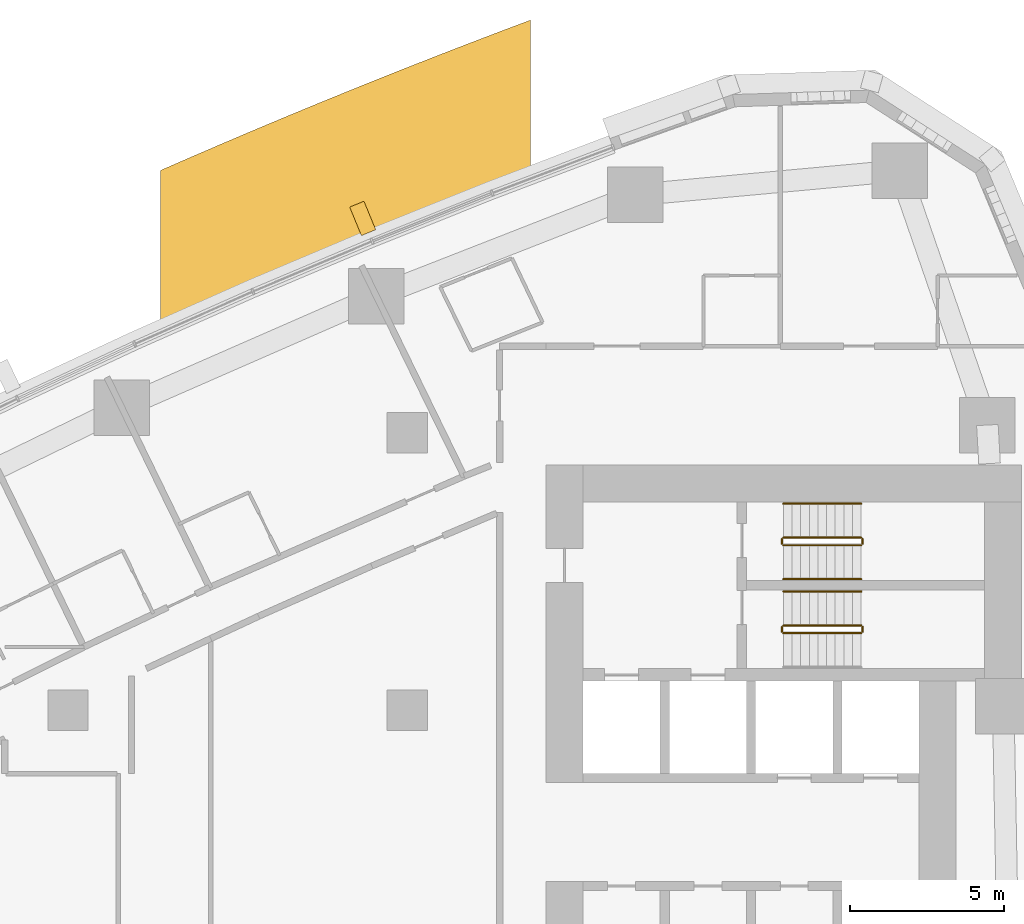
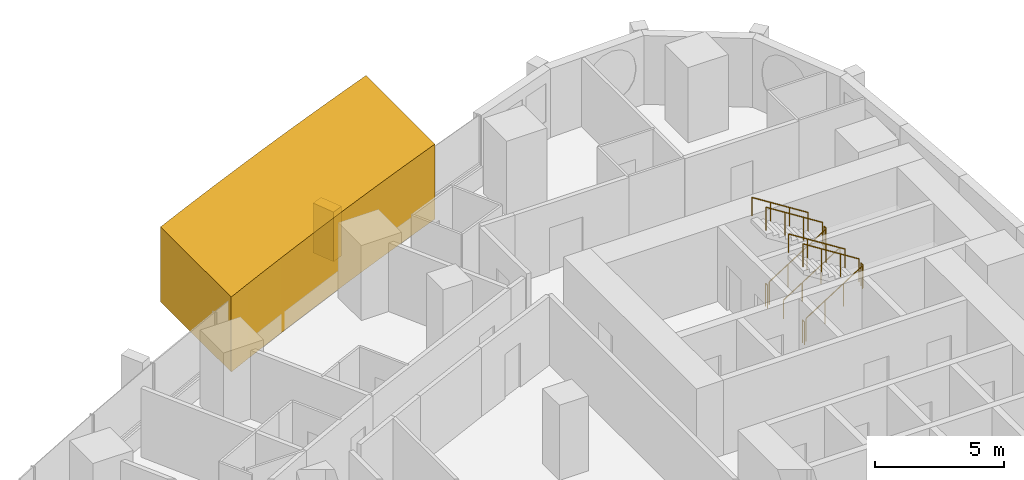
# One storey, part 18 of 19: 11 railings, 2 coverings.
"""IFC4 building model written with IfcOpenShell, lengths in metres."""

import ifcopenshell
import ifcopenshell.guid

model = None  # the IFC model being written
_history = None  # IfcOwnerHistory: only IFC2X3 demands one
_inside = {}  # id of a spatial element -> (the spatial element, [elements in it])
_under = {}  # id of a project, library or spatial element -> (it, [spatial elements below it])
_declared = {}  # id of a project -> (the project, [libraries it declares])
_typed = {}  # id of a type object -> (the type object, [elements of that type])
_made_of = {}  # id of a material, layer set ... -> (it, [elements and type objects made of it])


def new_model(schema):
    """Start an empty IFC model of exactly this schema.

    Asked for "IFC4X3", IfcOpenShell would pick the latest addendum, in which some entities
    have other attributes; the version numbers below select the first issue.
    IFC2X3 requires an IfcOwnerHistory on every rooted entity: one is made here for all.
    """
    global model, _history
    if schema == "IFC4X3":
        model = ifcopenshell.file(schema_version=(4, 3, 0, 0))
    else:
        model = ifcopenshell.file(schema=schema)
    _inside.clear()
    _under.clear()
    _declared.clear()
    _typed.clear()
    _made_of.clear()
    _history = None
    if model.schema == "IFC2X3":
        org = make("IfcOrganization", Name="unknown")
        user = make(
            "IfcPersonAndOrganization",
            ThePerson=make("IfcPerson", FamilyName="unknown"),
            TheOrganization=org,
        )
        app = make(
            "IfcApplication",
            ApplicationDeveloper=org,
            Version="unknown",
            ApplicationFullName="unknown",
            ApplicationIdentifier="unknown",
        )
        _history = make(
            "IfcOwnerHistory",
            OwningUser=user,
            OwningApplication=app,
            ChangeAction="ADDED",
            CreationDate=0,
        )
    return model


def make(cls, **values):
    """One entity of the class cls with the attributes given. An attribute that is None is left unset."""
    return model.create_entity(
        cls, **{name: value for name, value in values.items() if value is not None}
    )


def rooted(cls, **values):
    """An entity with a GlobalId (a new one), such as an element, a storey or a relation."""
    return make(cls, GlobalId=ifcopenshell.guid.new(), OwnerHistory=_history, **values)


def si_unit(unit_type, name, prefix=None):
    """IfcSIUnit, for example si_unit("LENGTHUNIT", "METRE", prefix="MILLI")."""
    return make("IfcSIUnit", UnitType=unit_type, Prefix=prefix, Name=name)


def assignment(units):
    """IfcUnitAssignment: the units of a project."""
    return None if units is None else make("IfcUnitAssignment", Units=units)


def point(xyz):
    """IfcCartesianPoint."""
    return None if xyz is None else make("IfcCartesianPoint", Coordinates=xyz)


def direction(xyz):
    """IfcDirection."""
    return None if xyz is None else make("IfcDirection", DirectionRatios=xyz)


def frame(location, z_axis=None, x_axis=None):
    """IfcAxis2Placement3D, a coordinate frame: its origin and axes. An axis left out is left unset."""
    return make(
        "IfcAxis2Placement3D",
        Location=point(location),
        Axis=direction(z_axis),
        RefDirection=direction(x_axis),
    )


def frame_2d(location, x_axis=None):
    """IfcAxis2Placement2D, a coordinate frame in the plane: its origin and x axis."""
    return make(
        "IfcAxis2Placement2D", Location=point(location), RefDirection=direction(x_axis)
    )


def origin():
    """The frame at (0, 0, 0) with its axes left unset."""
    return frame((0.0, 0.0, 0.0))


def origin_2d():
    """The frame at (0, 0) in the plane with its x axis left unset."""
    return frame_2d((0.0, 0.0))


def place(relative_to, where):
    """IfcLocalPlacement: puts the frame where relative to a parent placement (None: the world)."""
    return make(
        "IfcLocalPlacement", PlacementRelTo=relative_to, RelativePlacement=where
    )


def context(
    kind, dimensions, precision=None, world=None, true_north=None, identifier=None
):
    """IfcGeometricRepresentationContext, for example the 3D "Model" context."""
    return make(
        "IfcGeometricRepresentationContext",
        ContextIdentifier=identifier,
        ContextType=kind,
        CoordinateSpaceDimension=dimensions,
        Precision=precision,
        WorldCoordinateSystem=world,
        TrueNorth=true_north,
    )


def subcontext(parent, identifier, kind, view, scale=None):
    """IfcGeometricRepresentationSubContext, for example "Body" below "Model"."""
    return make(
        "IfcGeometricRepresentationSubContext",
        ContextIdentifier=identifier,
        ContextType=kind,
        ParentContext=parent,
        TargetScale=scale,
        TargetView=view,
    )


def project(units=None, contexts=None):
    """IfcProject with its units and contexts."""
    return rooted(
        "IfcProject",
        Name="project",
        RepresentationContexts=contexts,
        UnitsInContext=assignment(units),
    )


def spatial(cls, under=None, at=None, **own):
    """A site, building, storey or space (cls), placed at a placement, below another one or the project."""
    s = rooted(cls, ObjectPlacement=at, **own)
    if under is not None:
        _under.setdefault(under.id(), (under, []))[1].append(s)
    return s


def polyline(points):
    """IfcPolyline through the points."""
    return make("IfcPolyline", Points=[point(p) for p in points])


def profile(cls, at=None, kind="AREA", **sizes):
    """A parametric profile (cls). Its sizes go by their IFC names, for example OverallWidth=200.0."""
    return make(cls, ProfileType=kind, Position=at, **sizes)


def rectangle(**sizes):
    """IfcRectangleProfileDef."""
    return profile("IfcRectangleProfileDef", **sizes)


def circle(**sizes):
    """IfcCircleProfileDef."""
    return profile("IfcCircleProfileDef", **sizes)


def outline(outer, holes=None, kind="AREA"):
    """IfcArbitraryClosedProfileDef: a profile drawn as a closed curve; with holes, ...WithVoids."""
    if holes is None:
        return make("IfcArbitraryClosedProfileDef", ProfileType=kind, OuterCurve=outer)
    return make(
        "IfcArbitraryProfileDefWithVoids",
        ProfileType=kind,
        OuterCurve=outer,
        InnerCurves=holes,
    )


def extrude(swept, where, along, depth):
    """IfcExtrudedAreaSolid: the profile swept, set in the frame where, extruded along a direction by depth."""
    return make(
        "IfcExtrudedAreaSolid",
        SweptArea=swept,
        Position=where,
        ExtrudedDirection=direction(along),
        Depth=depth,
    )


def shape(context_of_items, identifier, shape_type, items):
    """IfcShapeRepresentation: the items that make up one representation, for example the "Body"."""
    return make(
        "IfcShapeRepresentation",
        ContextOfItems=context_of_items,
        RepresentationIdentifier=identifier,
        RepresentationType=shape_type,
        Items=items,
    )


def material(Name=None, Category=None):
    """IfcMaterial."""
    return make("IfcMaterial", Name=Name, Category=Category)


def layer(
    of_material, thickness, ventilated=None, Name=None, Category=None, Priority=None
):
    """IfcMaterialLayer: one layer of a wall or slab, of a material (None: an air gap)."""
    return make(
        "IfcMaterialLayer",
        Material=of_material,
        LayerThickness=thickness,
        IsVentilated=ventilated,
        Name=Name,
        Category=Category,
        Priority=Priority,
    )


def layer_set(layers, Name=None):
    """IfcMaterialLayerSet."""
    return make("IfcMaterialLayerSet", MaterialLayers=layers, LayerSetName=Name)


def made_of(thing, what):
    """Note that an element or type object is made of a material, layer set ...; save() writes the relation."""
    if what is not None:
        _made_of.setdefault(what.id(), (what, []))[1].append(thing)
    return thing


def type_object(cls, material=None, **own):
    """A type object (cls), such as IfcWallType, which elements share."""
    return made_of(rooted(cls, **own), material)


def element(
    cls,
    number,
    at=None,
    inside=None,
    cuts=None,
    type_object=None,
    material=None,
    context=None,
    identifier="Body",
    shape_type=None,
    held_by="IfcProductDefinitionShape",
    body=None,
    shapes=None,
    **own,
):
    """One element of the class cls, such as IfcWall. Its Tag is "e" and its number.

    at: its placement. inside: the storey or other place that contains it. cuts: it is an
    opening in that element (IfcRelVoidsElement). A single representation is given by context,
    identifier, shape_type and body (its items); several are given by shapes. held_by: the class
    of the entity that holds the representations. save() writes the other relations.
    """
    e = rooted(cls, Tag="e%d" % number, ObjectPlacement=at, **own)
    if body is not None:
        shapes = [shape(context, identifier, shape_type, body)]
    if shapes is not None:
        e.Representation = make(held_by, Representations=shapes)
    if inside is not None:
        _inside.setdefault(inside.id(), (inside, []))[1].append(e)
    if cuts is not None:
        rooted(
            "IfcRelVoidsElement", RelatingBuildingElement=cuts, RelatedOpeningElement=e
        )
    if type_object is not None:
        _typed.setdefault(type_object.id(), (type_object, []))[1].append(e)
    return made_of(e, material)


def aggregate(whole, parts):
    """IfcRelAggregates: a whole, such as a stair, and the parts it consists of."""
    return rooted("IfcRelAggregates", RelatingObject=whole, RelatedObjects=parts)


def save(model, path):
    """Write the relations noted so far, then the file.

    IfcRelAggregates (storeys below a building ...), IfcRelContainedInSpatialStructure (elements
    in a storey), IfcRelDefinesByType, IfcRelAssociatesMaterial and IfcRelDeclares: one each for
    every whole, place, type object, material and project.
    """
    for whole, parts in _under.values():
        aggregate(whole, parts)
    for where, things in _inside.values():
        rooted(
            "IfcRelContainedInSpatialStructure",
            RelatedElements=things,
            RelatingStructure=where,
        )
    for kind, things in _typed.values():
        rooted("IfcRelDefinesByType", RelatedObjects=things, RelatingType=kind)
    for what, things in _made_of.values():
        rooted("IfcRelAssociatesMaterial", RelatedObjects=things, RelatingMaterial=what)
    for by, libraries in _declared.values():
        rooted("IfcRelDeclares", RelatingContext=by, RelatedDefinitions=libraries)
    model.write(path)


model = new_model("IFC4")

# Units and contexts
model_context = context("Model", 3, precision=1e-05, world=origin(), true_north=direction((0.0, 1.0)))
body_context = subcontext(model_context, "Body", "Model", "MODEL_VIEW")
ifc_project = project(units=[si_unit("LENGTHUNIT", "METRE"), si_unit("AREAUNIT", "SQUARE_METRE"), si_unit("VOLUMEUNIT", "CUBIC_METRE"), si_unit("PLANEANGLEUNIT", "RADIAN"), si_unit("MASSUNIT", "GRAM", prefix="KILO")], contexts=[model_context])

# Site, building, storey
site_placement = place(None, origin())
site = spatial("IfcSite", under=ifc_project, at=site_placement, CompositionType="ELEMENT")
building_placement = place(site_placement, origin())
building = spatial("IfcBuilding", under=site, at=building_placement, Name="Ostrand Prow Hotel Tower", CompositionType="ELEMENT")
storey_placement = place(building_placement, frame((0.0, 0.0, 39.60009765625)))
storey = spatial("IfcBuildingStorey", under=building, at=storey_placement, Name="L07", CompositionType="ELEMENT", Elevation=39.60009765625)

# Coverings
ifc_material_1 = material(Name="Limestone cladding", Category="masonry")
ifc_layer_1 = layer(ifc_material_1, 5.0)
ifc_layer_set_1 = layer_set([ifc_layer_1], Name="Limestone cladding")
covering_type_1 = type_object("IfcCoveringType", Name="Portal jamb pilaster limestone", PredefinedType="CLADDING", material=ifc_layer_set_1)
covering_1_placement = place(storey_placement, origin())
element("IfcCovering", 1, at=covering_1_placement, inside=storey, type_object=covering_type_1, Name="Portal jamb NB L07", PredefinedType="CLADDING", context=body_context, shape_type="SweptSolid", body=[
    extrude(outline(polyline([(37.0, 21.037109375), (38.0, 21.484619140625), (39.0, 21.9267578125), (40.0, 22.363037109375), (41.0, 22.793701171875), (42.0, 23.218505859375), (43.0, 23.637939453125), (44.0, 24.051513671875), (45.0, 24.459716796875), (46.0, 24.862548828125), (47.0, 25.259765625), (48.0, 25.6513671875), (49.0, 26.03759765625), (49.0, 31.384521484375), (48.0, 31.0078125), (47.0, 30.62548828125), (46.0, 30.23828125), (45.0, 29.845703125), (44.0, 29.447509765625), (43.0, 29.044189453125), (42.0, 28.635498046875), (41.0, 28.22119140625), (40.0, 27.801513671875), (39.0, 27.376220703125), (38.0, 26.945556640625), (37.0, 26.50927734375), (37.0, 21.037109375)])), origin(), (0.0, 0.0, 1.0), 3.5498046875),
])
ifc_material_2 = material(Name="Limestone cladding", Category="masonry")
ifc_layer_2 = layer(ifc_material_2, 0.5)
ifc_layer_set_2 = layer_set([ifc_layer_2], Name="Limestone cladding")
covering_type_2 = type_object("IfcCoveringType", Name="Precast stone fin 500x900", PredefinedType="CLADDING", material=ifc_layer_set_2)
covering_2_placement = place(storey_placement, frame((43.74560546875, 24.487548828125, 0.89990234375), z_axis=(0.0, 0.0, 1.0), x_axis=(-0.380590179681, 0.924743810539, 0.0)))
element("IfcCovering", 2, at=covering_2_placement, inside=storey, type_object=covering_type_2, Name="Stone fin N 3", PredefinedType="CLADDING", context=body_context, shape_type="SweptSolid", body=[
    extrude(rectangle(XDim=1.0, YDim=0.5, at=frame_2d((0.5, 0.0))), origin(), (0.0, 0.0, 1.0), 2.35009765625),
])

# Railings
ifc_material_3 = material(Name="Painted steel", Category="steel")
railing_type_1 = type_object("IfcRailingType", Name="Stair guard 1100", PredefinedType="GUARDRAIL", material=ifc_material_3)
railing_1_placement = place(storey_placement, frame((57.199951171875, 11.5, 0.177490234375)))
element("IfcRailing", 3, at=railing_1_placement, inside=storey, type_object=railing_type_1, Name="L07 ST1C stair guard 1", PredefinedType="GUARDRAIL", context=body_context, shape_type="SweptSolid", body=[
    extrude(circle(Radius=0.02392578125, at=origin_2d()), frame((0.0, 0.0, 1.076171875), z_axis=(0.84460694969, 0.0, 0.535386869969), x_axis=(0.0, 1.0, 0.0)), (0.0, 0.0, 1.0), 2.983642578125),
    extrude(circle(Radius=0.02099609375, at=origin_2d()), origin(), (0.0, 0.0, 1.0), 1.052001953125),
    extrude(circle(Radius=0.02099609375, at=origin_2d()), frame((0.840087890625, 0.0, 0.532470703125)), (0.0, 0.0, 1.0), 1.052001953125),
    extrude(circle(Radius=0.02099609375, at=origin_2d()), frame((1.679931640625, 0.0, 1.06494140625)), (0.0, 0.0, 1.0), 1.052001953125),
    extrude(circle(Radius=0.02099609375, at=origin_2d()), frame((2.52001953125, 0.0, 1.597412109375)), (0.0, 0.0, 1.0), 1.052001953125),
])
railing_2_placement = place(storey_placement, frame((59.77001953125, 11.550048828125, 1.77490234375)))
element("IfcRailing", 4, at=railing_2_placement, inside=storey, type_object=railing_type_1, Name="L07 ST1C stair guard 2", PredefinedType="GUARDRAIL", context=body_context, shape_type="SweptSolid", body=[
    extrude(circle(Radius=0.02392578125, at=origin_2d()), frame((0.0, 0.0, 1.076171875), z_axis=(0.0, 1.0, 0.0), x_axis=(-1.0, 0.0, 0.0)), (0.0, 0.0, 1.0), 0.14990234375),
    extrude(circle(Radius=0.02099609375, at=origin_2d()), origin(), (0.0, 0.0, 1.0), 1.052001953125),
    extrude(circle(Radius=0.02099609375, at=origin_2d()), frame((0.0, 0.14990234375, 0.0)), (0.0, 0.0, 1.0), 1.052001953125),
])
railing_3_placement = place(storey_placement, frame((59.719970703125, 11.75, 1.952392578125)))
element("IfcRailing", 5, at=railing_3_placement, inside=storey, type_object=railing_type_1, Name="L07 ST1C stair guard 3", PredefinedType="GUARDRAIL", context=body_context, shape_type="SweptSolid", body=[
    extrude(circle(Radius=0.02392578125, at=origin_2d()), frame((0.0, 0.0, 1.076171875), z_axis=(-0.84460694969, 0.0, 0.535386869969), x_axis=(0.0, -1.0, 0.0)), (0.0, 0.0, 1.0), 2.983642578125),
    extrude(circle(Radius=0.02099609375, at=origin_2d()), origin(), (0.0, 0.0, 1.0), 1.052001953125),
    extrude(circle(Radius=0.02099609375, at=origin_2d()), frame((-0.840087890625, 0.0, 0.532470703125)), (0.0, 0.0, 1.0), 1.052001953125),
    extrude(circle(Radius=0.02099609375, at=origin_2d()), frame((-1.679931640625, 0.0, 1.06494140625)), (0.0, 0.0, 1.0), 1.052001953125),
    extrude(circle(Radius=0.02099609375, at=origin_2d()), frame((-2.52001953125, 0.0, 1.597412109375)), (0.0, 0.0, 1.0), 1.052001953125),
])
railing_4_placement = place(storey_placement, frame((57.14990234375, 11.550048828125, 0.0)))
element("IfcRailing", 6, at=railing_4_placement, inside=storey, type_object=railing_type_1, Name="L07 ST1C stair guard 4", PredefinedType="GUARDRAIL", context=body_context, shape_type="SweptSolid", body=[
    extrude(circle(Radius=0.02392578125, at=origin_2d()), frame((0.0, 0.0, 1.076171875), z_axis=(0.0, 1.0, 0.0), x_axis=(-1.0, 0.0, 0.0)), (0.0, 0.0, 1.0), 0.14990234375),
    extrude(circle(Radius=0.02099609375, at=origin_2d()), origin(), (0.0, 0.0, 1.0), 1.052001953125),
    extrude(circle(Radius=0.02099609375, at=origin_2d()), frame((0.0, 0.14990234375, 0.0)), (0.0, 0.0, 1.0), 1.052001953125),
])
railing_5_placement = place(storey_placement, frame((57.199951171875, 14.35009765625, 0.177490234375)))
element("IfcRailing", 7, at=railing_5_placement, inside=storey, type_object=railing_type_1, Name="L07 ST3C stair guard 1", PredefinedType="GUARDRAIL", context=body_context, shape_type="SweptSolid", body=[
    extrude(circle(Radius=0.02392578125, at=origin_2d()), frame((0.0, 0.0, 1.076171875), z_axis=(0.84460694969, 0.0, 0.535386869969), x_axis=(0.0, 1.0, 0.0)), (0.0, 0.0, 1.0), 2.983642578125),
    extrude(circle(Radius=0.02099609375, at=origin_2d()), origin(), (0.0, 0.0, 1.0), 1.052001953125),
    extrude(circle(Radius=0.02099609375, at=origin_2d()), frame((0.840087890625, 0.0, 0.532470703125)), (0.0, 0.0, 1.0), 1.052001953125),
    extrude(circle(Radius=0.02099609375, at=origin_2d()), frame((1.679931640625, 0.0, 1.06494140625)), (0.0, 0.0, 1.0), 1.052001953125),
    extrude(circle(Radius=0.02099609375, at=origin_2d()), frame((2.52001953125, 0.0, 1.597412109375)), (0.0, 0.0, 1.0), 1.052001953125),
])
railing_6_placement = place(storey_placement, frame((59.77001953125, 14.39990234375, 1.77490234375)))
element("IfcRailing", 8, at=railing_6_placement, inside=storey, type_object=railing_type_1, Name="L07 ST3C stair guard 2", PredefinedType="GUARDRAIL", context=body_context, shape_type="SweptSolid", body=[
    extrude(circle(Radius=0.02392578125, at=origin_2d()), frame((0.0, 0.0, 1.076171875), z_axis=(0.0, 1.0, 0.0), x_axis=(-1.0, 0.0, 0.0)), (0.0, 0.0, 1.0), 0.150146484375),
    extrude(circle(Radius=0.02099609375, at=origin_2d()), origin(), (0.0, 0.0, 1.0), 1.052001953125),
    extrude(circle(Radius=0.02099609375, at=origin_2d()), frame((0.0, 0.150146484375, 0.0)), (0.0, 0.0, 1.0), 1.052001953125),
])
railing_7_placement = place(storey_placement, frame((59.719970703125, 14.60009765625, 1.952392578125)))
element("IfcRailing", 9, at=railing_7_placement, inside=storey, type_object=railing_type_1, Name="L07 ST3C stair guard 3", PredefinedType="GUARDRAIL", context=body_context, shape_type="SweptSolid", body=[
    extrude(circle(Radius=0.02392578125, at=origin_2d()), frame((0.0, 0.0, 1.076171875), z_axis=(-0.84460694969, 0.0, 0.535386869969), x_axis=(0.0, -1.0, 0.0)), (0.0, 0.0, 1.0), 2.983642578125),
    extrude(circle(Radius=0.02099609375, at=origin_2d()), origin(), (0.0, 0.0, 1.0), 1.052001953125),
    extrude(circle(Radius=0.02099609375, at=origin_2d()), frame((-0.840087890625, 0.0, 0.532470703125)), (0.0, 0.0, 1.0), 1.052001953125),
    extrude(circle(Radius=0.02099609375, at=origin_2d()), frame((-1.679931640625, 0.0, 1.06494140625)), (0.0, 0.0, 1.0), 1.052001953125),
    extrude(circle(Radius=0.02099609375, at=origin_2d()), frame((-2.52001953125, 0.0, 1.597412109375)), (0.0, 0.0, 1.0), 1.052001953125),
])
railing_8_placement = place(storey_placement, frame((57.14990234375, 14.39990234375, 0.0)))
element("IfcRailing", 10, at=railing_8_placement, inside=storey, type_object=railing_type_1, Name="L07 ST3C stair guard 4", PredefinedType="GUARDRAIL", context=body_context, shape_type="SweptSolid", body=[
    extrude(circle(Radius=0.02392578125, at=origin_2d()), frame((0.0, 0.0, 1.076171875), z_axis=(0.0, 1.0, 0.0), x_axis=(-1.0, 0.0, 0.0)), (0.0, 0.0, 1.0), 0.150146484375),
    extrude(circle(Radius=0.02099609375, at=origin_2d()), origin(), (0.0, 0.0, 1.0), 1.052001953125),
    extrude(circle(Radius=0.02099609375, at=origin_2d()), frame((0.0, 0.150146484375, 0.0)), (0.0, 0.0, 1.0), 1.052001953125),
])
ifc_material_4 = material(Name="Stainless steel", Category="steel")
railing_type_2 = type_object("IfcRailingType", Name="Stair handrail 900", PredefinedType="HANDRAIL", material=ifc_material_4)
railing_9_placement = place(storey_placement, frame((59.719970703125, 12.85009765625, 1.952392578125)))
element("IfcRailing", 11, at=railing_9_placement, inside=storey, type_object=railing_type_2, Name="L07 ST1C stair handrail 2", PredefinedType="HANDRAIL", context=body_context, shape_type="SweptSolid", body=[
    extrude(circle(Radius=0.02392578125, at=origin_2d()), frame((0.0, 0.0, 0.8759765625), z_axis=(-0.84460694969, 0.0, 0.535386869969), x_axis=(0.0, -1.0, 0.0)), (0.0, 0.0, 1.0), 2.983642578125),
    extrude(circle(Radius=0.02099609375, at=origin_2d()), origin(), (0.0, 0.0, 1.0), 0.851806640625),
    extrude(circle(Radius=0.02099609375, at=origin_2d()), frame((-0.840087890625, 0.0, 0.532470703125)), (0.0, 0.0, 1.0), 0.851806640625),
    extrude(circle(Radius=0.02099609375, at=origin_2d()), frame((-1.679931640625, 0.0, 1.06494140625)), (0.0, 0.0, 1.0), 0.851806640625),
    extrude(circle(Radius=0.02099609375, at=origin_2d()), frame((-2.52001953125, 0.0, 1.597412109375)), (0.0, 0.0, 1.0), 0.851806640625),
])
railing_10_placement = place(storey_placement, frame((57.199951171875, 13.25, 0.177490234375)))
element("IfcRailing", 12, at=railing_10_placement, inside=storey, type_object=railing_type_2, Name="L07 ST3C stair handrail 1", PredefinedType="HANDRAIL", context=body_context, shape_type="SweptSolid", body=[
    extrude(circle(Radius=0.02392578125, at=origin_2d()), frame((0.0, 0.0, 0.8759765625), z_axis=(0.84460694969, 0.0, 0.535386869969), x_axis=(0.0, 1.0, 0.0)), (0.0, 0.0, 1.0), 2.983642578125),
    extrude(circle(Radius=0.02099609375, at=origin_2d()), origin(), (0.0, 0.0, 1.0), 0.851806640625),
    extrude(circle(Radius=0.02099609375, at=origin_2d()), frame((0.840087890625, 0.0, 0.532470703125)), (0.0, 0.0, 1.0), 0.851806640625),
    extrude(circle(Radius=0.02099609375, at=origin_2d()), frame((1.679931640625, 0.0, 1.06494140625)), (0.0, 0.0, 1.0), 0.851806640625),
    extrude(circle(Radius=0.02099609375, at=origin_2d()), frame((2.52001953125, 0.0, 1.597412109375)), (0.0, 0.0, 1.0), 0.851806640625),
])
railing_11_placement = place(storey_placement, frame((59.719970703125, 15.699951171875, 1.952392578125)))
element("IfcRailing", 13, at=railing_11_placement, inside=storey, type_object=railing_type_2, Name="L07 ST3C stair handrail 2", PredefinedType="HANDRAIL", context=body_context, shape_type="SweptSolid", body=[
    extrude(circle(Radius=0.02392578125, at=origin_2d()), frame((0.0, 0.0, 0.8759765625), z_axis=(-0.84460694969, 0.0, 0.535386869969), x_axis=(0.0, -1.0, 0.0)), (0.0, 0.0, 1.0), 2.983642578125),
    extrude(circle(Radius=0.02099609375, at=origin_2d()), origin(), (0.0, 0.0, 1.0), 0.851806640625),
    extrude(circle(Radius=0.02099609375, at=origin_2d()), frame((-0.840087890625, 0.0, 0.532470703125)), (0.0, 0.0, 1.0), 0.851806640625),
    extrude(circle(Radius=0.02099609375, at=origin_2d()), frame((-1.679931640625, 0.0, 1.06494140625)), (0.0, 0.0, 1.0), 0.851806640625),
    extrude(circle(Radius=0.02099609375, at=origin_2d()), frame((-2.52001953125, 0.0, 1.597412109375)), (0.0, 0.0, 1.0), 0.851806640625),
])

save(model, "model.ifc")
